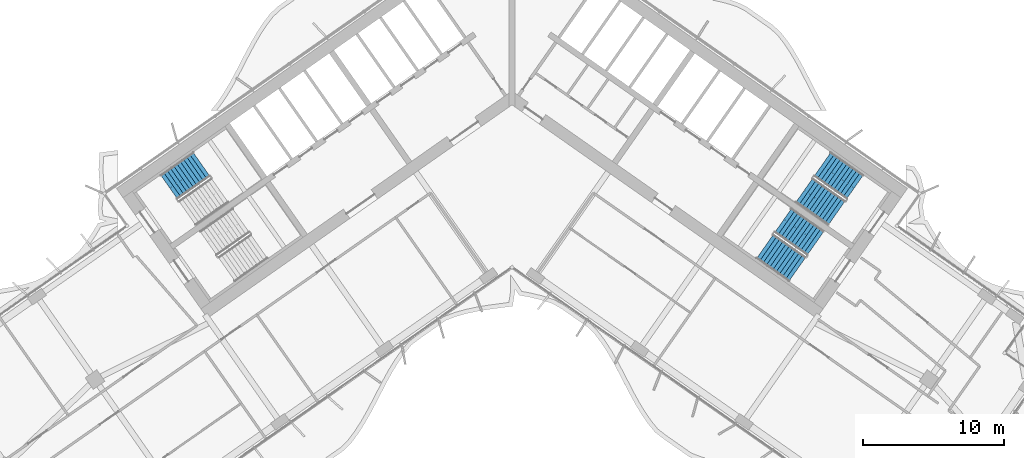
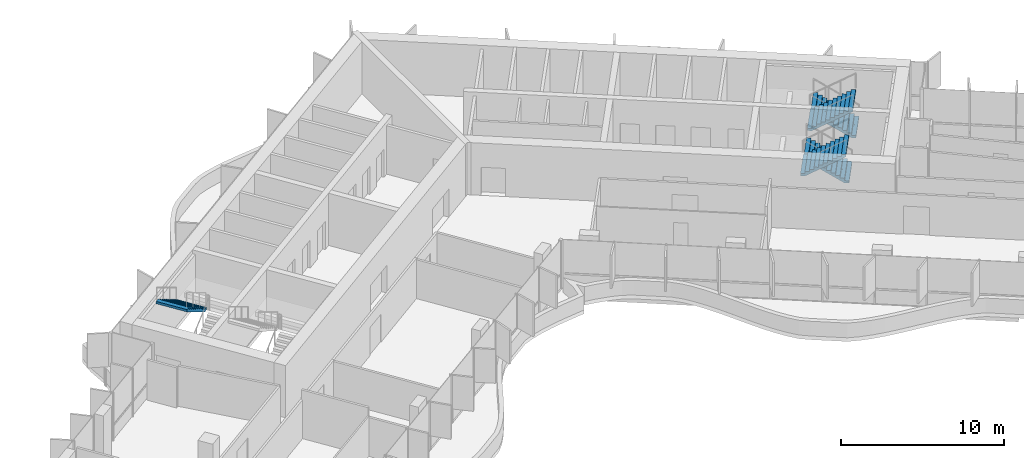
# One storey, part 16 of 21: 5 stair flights, 3 elements without a shape of their own.
"""IFC4 building model written with IfcOpenShell, lengths in metres."""

from ifc_helpers import new_model, si_unit, direction, frame, origin, place, context, subcontext, project, spatial, polyline, outline, extrude, material, type_object, element, aggregate, save


model = new_model("IFC4")

# Units and contexts
model_context = context("Model", 3, precision=1e-05, world=origin(), true_north=direction((0.0, 1.0)))
body_context = subcontext(model_context, "Body", "Model", "MODEL_VIEW")
ifc_project = project(units=[si_unit("LENGTHUNIT", "METRE"), si_unit("AREAUNIT", "SQUARE_METRE"), si_unit("VOLUMEUNIT", "CUBIC_METRE"), si_unit("PLANEANGLEUNIT", "RADIAN"), si_unit("MASSUNIT", "GRAM", prefix="KILO")], contexts=[model_context])

# Site, building, storey
site_placement = place(None, origin())
site = spatial("IfcSite", under=ifc_project, at=site_placement, CompositionType="ELEMENT")
building_placement = place(site_placement, origin())
building = spatial("IfcBuilding", under=site, at=building_placement, Name="Tel Ilan Convention Tower", CompositionType="ELEMENT")
storey_placement = place(building_placement, frame((0.0, 0.0, 155.39990234375)))
storey = spatial("IfcBuildingStorey", under=building, at=storey_placement, Name="L35", CompositionType="ELEMENT", Elevation=155.39990234375)

# Stair, stair flight
ifc_material_1 = material(Name="Concrete C40/50", Category="concrete")
stair_type = type_object("IfcStairType", Name="Pressurised Exit Stair 22 risers 177 mm", PredefinedType="HALF_TURN_STAIR", material=ifc_material_1)
stair_1_placement = place(storey_placement, origin())
stair_1 = element("IfcStair", 1, at=stair_1_placement, inside=storey, type_object=stair_type, Name="L35 Pressurised Stair S1", PredefinedType="HALF_TURN_STAIR")
ifc_material_2 = material(Name="Precast Concrete C40/50", Category="concrete")
stair_flight_type = type_object("IfcStairFlightType", Name="Concrete Stair Flight 2100 mm 22 risers 177 mm", PredefinedType="STRAIGHT", material=ifc_material_2)
stair_flight_1_placement = place(storey_placement, frame((-21.958740234375, -5.42626953125, 1.9501953125), z_axis=(0.0, 0.0, 1.0), x_axis=(-0.819152044289, -0.573576436351, 0.0)))
stair_flight_1 = element("IfcStairFlight", 2, at=stair_flight_1_placement, type_object=stair_flight_type, Name="S1 flight 2", NumberOfRisers=11, NumberOfTreads=10, PredefinedType="STRAIGHT", RiserHeight=0.177272727, TreadLength=0.28, context=body_context, shape_type="SweptSolid", body=[
    extrude(outline(polyline([(0.0, 0.0), (0.0, 0.17724609375), (0.280029296875, 0.17724609375), (0.280029296875, 0.3544921875), (0.56005859375, 0.3544921875), (0.56005859375, 0.53173828125), (0.840087890625, 0.53173828125), (0.840087890625, 0.708984375), (1.1201171875, 0.708984375), (1.1201171875, 0.886474609375), (1.39990234375, 0.886474609375), (1.39990234375, 1.063720703125), (1.679931640625, 1.063720703125), (1.679931640625, 1.240966796875), (1.9599609375, 1.240966796875), (1.9599609375, 1.418212890625), (2.239990234375, 1.418212890625), (2.239990234375, 1.595458984375), (2.52001953125, 1.595458984375), (2.52001953125, 1.772705078125), (2.800048828125, 1.772705078125), (2.800048828125, 1.949951171875), (2.800048828125, 1.59521484375), (0.2802734375, 0.0), (0.0, 0.0)])), frame((0.0, -0.100341796875, 0.0), z_axis=(0.0, -1.0, 0.0), x_axis=(1.0, 0.0, 0.0)), (0.0, 0.0, 1.0), 0.94970703125),
    extrude(outline(polyline([(0.0, 0.0), (0.0, 0.17724609375), (0.280029296875, 0.17724609375), (0.280029296875, 0.3544921875), (0.56005859375, 0.3544921875), (0.56005859375, 0.53173828125), (0.840087890625, 0.53173828125), (0.840087890625, 0.708984375), (1.1201171875, 0.708984375), (1.1201171875, 0.886474609375), (1.39990234375, 0.886474609375), (1.39990234375, 1.063720703125), (1.679931640625, 1.063720703125), (1.679931640625, 1.240966796875), (1.9599609375, 1.240966796875), (1.9599609375, 1.418212890625), (2.239990234375, 1.418212890625), (2.239990234375, 1.595458984375), (2.52001953125, 1.595458984375), (2.52001953125, 1.772705078125), (2.800048828125, 1.772705078125), (2.800048828125, 1.949951171875), (2.800048828125, 1.59521484375), (0.2802734375, 0.0), (0.0, 0.0)])), frame((0.0, -0.000244140625, 0.0), z_axis=(0.0, -1.0, 0.0), x_axis=(1.0, 0.0, 0.0)), (0.0, 0.0, 1.0), 0.099609375),
    extrude(outline(polyline([(0.0, 0.0), (0.0, 0.17724609375), (0.280029296875, 0.17724609375), (0.280029296875, 0.3544921875), (0.56005859375, 0.3544921875), (0.56005859375, 0.53173828125), (0.840087890625, 0.53173828125), (0.840087890625, 0.708984375), (1.1201171875, 0.708984375), (1.1201171875, 0.886474609375), (1.39990234375, 0.886474609375), (1.39990234375, 1.063720703125), (1.679931640625, 1.063720703125), (1.679931640625, 1.240966796875), (1.9599609375, 1.240966796875), (1.9599609375, 1.418212890625), (2.239990234375, 1.418212890625), (2.239990234375, 1.595458984375), (2.52001953125, 1.595458984375), (2.52001953125, 1.772705078125), (2.800048828125, 1.772705078125), (2.800048828125, 1.949951171875), (2.800048828125, 1.59521484375), (0.2802734375, 0.0), (0.0, 0.0)])), frame((0.0, 0.099853515625, 0.0), z_axis=(0.0, -1.0, 0.0), x_axis=(1.0, 0.0, 0.0)), (0.0, 0.0, 1.0), 0.099609375),
    extrude(outline(polyline([(0.0, 0.0), (0.0, 0.17724609375), (0.280029296875, 0.17724609375), (0.280029296875, 0.3544921875), (0.56005859375, 0.3544921875), (0.56005859375, 0.53173828125), (0.840087890625, 0.53173828125), (0.840087890625, 0.708984375), (1.1201171875, 0.708984375), (1.1201171875, 0.886474609375), (1.39990234375, 0.886474609375), (1.39990234375, 1.063720703125), (1.679931640625, 1.063720703125), (1.679931640625, 1.240966796875), (1.9599609375, 1.240966796875), (1.9599609375, 1.418212890625), (2.239990234375, 1.418212890625), (2.239990234375, 1.595458984375), (2.52001953125, 1.595458984375), (2.52001953125, 1.772705078125), (2.800048828125, 1.772705078125), (2.800048828125, 1.949951171875), (2.800048828125, 1.59521484375), (0.2802734375, 0.0), (0.0, 0.0)])), frame((0.0, 1.050048828125, 0.0), z_axis=(0.0, -1.0, 0.0), x_axis=(1.0, 0.0, 0.0)), (0.0, 0.0, 1.0), 0.94970703125),
])
aggregate(stair_1, [stair_flight_1])

# Stair, stair flights
stair_2_placement = place(storey_placement, origin())
stair_2 = element("IfcStair", 3, at=stair_2_placement, inside=storey, type_object=stair_type, Name="L35 Pressurised Stair S3", PredefinedType="HALF_TURN_STAIR")
stair_flight_2_placement = place(storey_placement, frame((24.25244140625, -7.032470703125, 0.0), z_axis=(0.0, 0.0, 1.0), x_axis=(-0.819152044289, 0.573576436351, 0.0)))
stair_flight_2 = element("IfcStairFlight", 4, at=stair_flight_2_placement, type_object=stair_flight_type, Name="S3 flight 1", NumberOfRisers=11, NumberOfTreads=10, PredefinedType="STRAIGHT", RiserHeight=0.177272727, TreadLength=0.28, context=body_context, shape_type="SweptSolid", body=[
    extrude(outline(polyline([(0.0, 0.0), (0.0, 0.17724609375), (0.280029296875, 0.17724609375), (0.280029296875, 0.3544921875), (0.56005859375, 0.3544921875), (0.56005859375, 0.53173828125), (0.840087890625, 0.53173828125), (0.840087890625, 0.708984375), (1.1201171875, 0.708984375), (1.1201171875, 0.886474609375), (1.39990234375, 0.886474609375), (1.39990234375, 1.063720703125), (1.679931640625, 1.063720703125), (1.679931640625, 1.240966796875), (1.9599609375, 1.240966796875), (1.9599609375, 1.418212890625), (2.239990234375, 1.418212890625), (2.239990234375, 1.595458984375), (2.52001953125, 1.595458984375), (2.52001953125, 1.772705078125), (2.800048828125, 1.772705078125), (2.800048828125, 1.949951171875), (2.800048828125, 1.59521484375), (0.2802734375, 0.0), (0.0, 0.0)])), frame((0.0, -0.100341796875, 0.0), z_axis=(0.0, -1.0, 0.0), x_axis=(1.0, 0.0, 0.0)), (0.0, 0.0, 1.0), 0.94970703125),
    extrude(outline(polyline([(0.0, 0.0), (0.0, 0.17724609375), (0.280029296875, 0.17724609375), (0.280029296875, 0.3544921875), (0.56005859375, 0.3544921875), (0.56005859375, 0.53173828125), (0.840087890625, 0.53173828125), (0.840087890625, 0.708984375), (1.1201171875, 0.708984375), (1.1201171875, 0.886474609375), (1.39990234375, 0.886474609375), (1.39990234375, 1.063720703125), (1.679931640625, 1.063720703125), (1.679931640625, 1.240966796875), (1.9599609375, 1.240966796875), (1.9599609375, 1.418212890625), (2.239990234375, 1.418212890625), (2.239990234375, 1.595458984375), (2.52001953125, 1.595458984375), (2.52001953125, 1.772705078125), (2.800048828125, 1.772705078125), (2.800048828125, 1.949951171875), (2.800048828125, 1.59521484375), (0.2802734375, 0.0), (0.0, 0.0)])), frame((0.0, -0.000244140625, 0.0), z_axis=(0.0, -1.0, 0.0), x_axis=(1.0, 0.0, 0.0)), (0.0, 0.0, 1.0), 0.099609375),
    extrude(outline(polyline([(0.0, 0.0), (0.0, 0.17724609375), (0.280029296875, 0.17724609375), (0.280029296875, 0.3544921875), (0.56005859375, 0.3544921875), (0.56005859375, 0.53173828125), (0.840087890625, 0.53173828125), (0.840087890625, 0.708984375), (1.1201171875, 0.708984375), (1.1201171875, 0.886474609375), (1.39990234375, 0.886474609375), (1.39990234375, 1.063720703125), (1.679931640625, 1.063720703125), (1.679931640625, 1.240966796875), (1.9599609375, 1.240966796875), (1.9599609375, 1.418212890625), (2.239990234375, 1.418212890625), (2.239990234375, 1.595458984375), (2.52001953125, 1.595458984375), (2.52001953125, 1.772705078125), (2.800048828125, 1.772705078125), (2.800048828125, 1.949951171875), (2.800048828125, 1.59521484375), (0.2802734375, 0.0), (0.0, 0.0)])), frame((0.0, 0.099853515625, 0.0), z_axis=(0.0, -1.0, 0.0), x_axis=(1.0, 0.0, 0.0)), (0.0, 0.0, 1.0), 0.099609375),
    extrude(outline(polyline([(0.0, 0.0), (0.0, 0.17724609375), (0.280029296875, 0.17724609375), (0.280029296875, 0.3544921875), (0.56005859375, 0.3544921875), (0.56005859375, 0.53173828125), (0.840087890625, 0.53173828125), (0.840087890625, 0.708984375), (1.1201171875, 0.708984375), (1.1201171875, 0.886474609375), (1.39990234375, 0.886474609375), (1.39990234375, 1.063720703125), (1.679931640625, 1.063720703125), (1.679931640625, 1.240966796875), (1.9599609375, 1.240966796875), (1.9599609375, 1.418212890625), (2.239990234375, 1.418212890625), (2.239990234375, 1.595458984375), (2.52001953125, 1.595458984375), (2.52001953125, 1.772705078125), (2.800048828125, 1.772705078125), (2.800048828125, 1.949951171875), (2.800048828125, 1.59521484375), (0.2802734375, 0.0), (0.0, 0.0)])), frame((0.0, 1.050048828125, 0.0), z_axis=(0.0, -1.0, 0.0), x_axis=(1.0, 0.0, 0.0)), (0.0, 0.0, 1.0), 0.94970703125),
])
stair_flight_3_placement = place(storey_placement, frame((20.668212890625, -7.26953125, 1.9501953125), z_axis=(0.0, 0.0, 1.0), x_axis=(0.819152044289, -0.573576436351, 0.0)))
stair_flight_3 = element("IfcStairFlight", 5, at=stair_flight_3_placement, type_object=stair_flight_type, Name="S3 flight 2", NumberOfRisers=11, NumberOfTreads=10, PredefinedType="STRAIGHT", RiserHeight=0.177272727, TreadLength=0.28, context=body_context, shape_type="SweptSolid", body=[
    extrude(outline(polyline([(0.0, 0.0), (0.0, 0.17724609375), (0.280029296875, 0.17724609375), (0.280029296875, 0.3544921875), (0.56005859375, 0.3544921875), (0.56005859375, 0.53173828125), (0.840087890625, 0.53173828125), (0.840087890625, 0.708984375), (1.1201171875, 0.708984375), (1.1201171875, 0.886474609375), (1.39990234375, 0.886474609375), (1.39990234375, 1.063720703125), (1.679931640625, 1.063720703125), (1.679931640625, 1.240966796875), (1.9599609375, 1.240966796875), (1.9599609375, 1.418212890625), (2.239990234375, 1.418212890625), (2.239990234375, 1.595458984375), (2.52001953125, 1.595458984375), (2.52001953125, 1.772705078125), (2.800048828125, 1.772705078125), (2.800048828125, 1.949951171875), (2.800048828125, 1.59521484375), (0.2802734375, 0.0), (0.0, 0.0)])), frame((0.0, -0.100341796875, 0.0), z_axis=(0.0, -1.0, 0.0), x_axis=(1.0, 0.0, 0.0)), (0.0, 0.0, 1.0), 0.94970703125),
    extrude(outline(polyline([(0.0, 0.0), (0.0, 0.17724609375), (0.280029296875, 0.17724609375), (0.280029296875, 0.3544921875), (0.56005859375, 0.3544921875), (0.56005859375, 0.53173828125), (0.840087890625, 0.53173828125), (0.840087890625, 0.708984375), (1.1201171875, 0.708984375), (1.1201171875, 0.886474609375), (1.39990234375, 0.886474609375), (1.39990234375, 1.063720703125), (1.679931640625, 1.063720703125), (1.679931640625, 1.240966796875), (1.9599609375, 1.240966796875), (1.9599609375, 1.418212890625), (2.239990234375, 1.418212890625), (2.239990234375, 1.595458984375), (2.52001953125, 1.595458984375), (2.52001953125, 1.772705078125), (2.800048828125, 1.772705078125), (2.800048828125, 1.949951171875), (2.800048828125, 1.59521484375), (0.2802734375, 0.0), (0.0, 0.0)])), frame((0.0, -0.000244140625, 0.0), z_axis=(0.0, -1.0, 0.0), x_axis=(1.0, 0.0, 0.0)), (0.0, 0.0, 1.0), 0.099609375),
    extrude(outline(polyline([(0.0, 0.0), (0.0, 0.17724609375), (0.280029296875, 0.17724609375), (0.280029296875, 0.3544921875), (0.56005859375, 0.3544921875), (0.56005859375, 0.53173828125), (0.840087890625, 0.53173828125), (0.840087890625, 0.708984375), (1.1201171875, 0.708984375), (1.1201171875, 0.886474609375), (1.39990234375, 0.886474609375), (1.39990234375, 1.063720703125), (1.679931640625, 1.063720703125), (1.679931640625, 1.240966796875), (1.9599609375, 1.240966796875), (1.9599609375, 1.418212890625), (2.239990234375, 1.418212890625), (2.239990234375, 1.595458984375), (2.52001953125, 1.595458984375), (2.52001953125, 1.772705078125), (2.800048828125, 1.772705078125), (2.800048828125, 1.949951171875), (2.800048828125, 1.59521484375), (0.2802734375, 0.0), (0.0, 0.0)])), frame((0.0, 0.099853515625, 0.0), z_axis=(0.0, -1.0, 0.0), x_axis=(1.0, 0.0, 0.0)), (0.0, 0.0, 1.0), 0.099609375),
    extrude(outline(polyline([(0.0, 0.0), (0.0, 0.17724609375), (0.280029296875, 0.17724609375), (0.280029296875, 0.3544921875), (0.56005859375, 0.3544921875), (0.56005859375, 0.53173828125), (0.840087890625, 0.53173828125), (0.840087890625, 0.708984375), (1.1201171875, 0.708984375), (1.1201171875, 0.886474609375), (1.39990234375, 0.886474609375), (1.39990234375, 1.063720703125), (1.679931640625, 1.063720703125), (1.679931640625, 1.240966796875), (1.9599609375, 1.240966796875), (1.9599609375, 1.418212890625), (2.239990234375, 1.418212890625), (2.239990234375, 1.595458984375), (2.52001953125, 1.595458984375), (2.52001953125, 1.772705078125), (2.800048828125, 1.772705078125), (2.800048828125, 1.949951171875), (2.800048828125, 1.59521484375), (0.2802734375, 0.0), (0.0, 0.0)])), frame((0.0, 1.050048828125, 0.0), z_axis=(0.0, -1.0, 0.0), x_axis=(1.0, 0.0, 0.0)), (0.0, 0.0, 1.0), 0.94970703125),
])
aggregate(stair_2, [stair_flight_2, stair_flight_3])

stair_3_placement = place(storey_placement, origin())
stair_3 = element("IfcStair", 6, at=stair_3_placement, inside=storey, type_object=stair_type, Name="L35 Pressurised Stair S4", PredefinedType="HALF_TURN_STAIR")
stair_flight_4_placement = place(storey_placement, frame((21.470458984375, -11.00537109375, 0.0), z_axis=(0.0, 0.0, 1.0), x_axis=(-0.819152044289, 0.573576436351, 0.0)))
stair_flight_4 = element("IfcStairFlight", 7, at=stair_flight_4_placement, type_object=stair_flight_type, Name="S4 flight 1", NumberOfRisers=11, NumberOfTreads=10, PredefinedType="STRAIGHT", RiserHeight=0.177272727, TreadLength=0.28, context=body_context, shape_type="SweptSolid", body=[
    extrude(outline(polyline([(0.0, 0.0), (0.0, 0.17724609375), (0.280029296875, 0.17724609375), (0.280029296875, 0.3544921875), (0.56005859375, 0.3544921875), (0.56005859375, 0.53173828125), (0.840087890625, 0.53173828125), (0.840087890625, 0.708984375), (1.1201171875, 0.708984375), (1.1201171875, 0.886474609375), (1.39990234375, 0.886474609375), (1.39990234375, 1.063720703125), (1.679931640625, 1.063720703125), (1.679931640625, 1.240966796875), (1.9599609375, 1.240966796875), (1.9599609375, 1.418212890625), (2.239990234375, 1.418212890625), (2.239990234375, 1.595458984375), (2.52001953125, 1.595458984375), (2.52001953125, 1.772705078125), (2.800048828125, 1.772705078125), (2.800048828125, 1.949951171875), (2.800048828125, 1.59521484375), (0.2802734375, 0.0), (0.0, 0.0)])), frame((0.0, -0.100341796875, 0.0), z_axis=(0.0, -1.0, 0.0), x_axis=(1.0, 0.0, 0.0)), (0.0, 0.0, 1.0), 0.94970703125),
    extrude(outline(polyline([(0.0, 0.0), (0.0, 0.17724609375), (0.280029296875, 0.17724609375), (0.280029296875, 0.3544921875), (0.56005859375, 0.3544921875), (0.56005859375, 0.53173828125), (0.840087890625, 0.53173828125), (0.840087890625, 0.708984375), (1.1201171875, 0.708984375), (1.1201171875, 0.886474609375), (1.39990234375, 0.886474609375), (1.39990234375, 1.063720703125), (1.679931640625, 1.063720703125), (1.679931640625, 1.240966796875), (1.9599609375, 1.240966796875), (1.9599609375, 1.418212890625), (2.239990234375, 1.418212890625), (2.239990234375, 1.595458984375), (2.52001953125, 1.595458984375), (2.52001953125, 1.772705078125), (2.800048828125, 1.772705078125), (2.800048828125, 1.949951171875), (2.800048828125, 1.59521484375), (0.2802734375, 0.0), (0.0, 0.0)])), frame((0.0, -0.000244140625, 0.0), z_axis=(0.0, -1.0, 0.0), x_axis=(1.0, 0.0, 0.0)), (0.0, 0.0, 1.0), 0.099609375),
    extrude(outline(polyline([(0.0, 0.0), (0.0, 0.17724609375), (0.280029296875, 0.17724609375), (0.280029296875, 0.3544921875), (0.56005859375, 0.3544921875), (0.56005859375, 0.53173828125), (0.840087890625, 0.53173828125), (0.840087890625, 0.708984375), (1.1201171875, 0.708984375), (1.1201171875, 0.886474609375), (1.39990234375, 0.886474609375), (1.39990234375, 1.063720703125), (1.679931640625, 1.063720703125), (1.679931640625, 1.240966796875), (1.9599609375, 1.240966796875), (1.9599609375, 1.418212890625), (2.239990234375, 1.418212890625), (2.239990234375, 1.595458984375), (2.52001953125, 1.595458984375), (2.52001953125, 1.772705078125), (2.800048828125, 1.772705078125), (2.800048828125, 1.949951171875), (2.800048828125, 1.59521484375), (0.2802734375, 0.0), (0.0, 0.0)])), frame((0.0, 0.099853515625, 0.0), z_axis=(0.0, -1.0, 0.0), x_axis=(1.0, 0.0, 0.0)), (0.0, 0.0, 1.0), 0.099609375),
    extrude(outline(polyline([(0.0, 0.0), (0.0, 0.17724609375), (0.280029296875, 0.17724609375), (0.280029296875, 0.3544921875), (0.56005859375, 0.3544921875), (0.56005859375, 0.53173828125), (0.840087890625, 0.53173828125), (0.840087890625, 0.708984375), (1.1201171875, 0.708984375), (1.1201171875, 0.886474609375), (1.39990234375, 0.886474609375), (1.39990234375, 1.063720703125), (1.679931640625, 1.063720703125), (1.679931640625, 1.240966796875), (1.9599609375, 1.240966796875), (1.9599609375, 1.418212890625), (2.239990234375, 1.418212890625), (2.239990234375, 1.595458984375), (2.52001953125, 1.595458984375), (2.52001953125, 1.772705078125), (2.800048828125, 1.772705078125), (2.800048828125, 1.949951171875), (2.800048828125, 1.59521484375), (0.2802734375, 0.0), (0.0, 0.0)])), frame((0.0, 1.050048828125, 0.0), z_axis=(0.0, -1.0, 0.0), x_axis=(1.0, 0.0, 0.0)), (0.0, 0.0, 1.0), 0.94970703125),
])
stair_flight_5_placement = place(storey_placement, frame((17.886474609375, -11.242431640625, 1.9501953125), z_axis=(0.0, 0.0, 1.0), x_axis=(0.819152044289, -0.573576436351, 0.0)))
stair_flight_5 = element("IfcStairFlight", 8, at=stair_flight_5_placement, type_object=stair_flight_type, Name="S4 flight 2", NumberOfRisers=11, NumberOfTreads=10, PredefinedType="STRAIGHT", RiserHeight=0.177272727, TreadLength=0.28, context=body_context, shape_type="SweptSolid", body=[
    extrude(outline(polyline([(0.0, 0.0), (0.0, 0.17724609375), (0.280029296875, 0.17724609375), (0.280029296875, 0.3544921875), (0.56005859375, 0.3544921875), (0.56005859375, 0.53173828125), (0.840087890625, 0.53173828125), (0.840087890625, 0.708984375), (1.1201171875, 0.708984375), (1.1201171875, 0.886474609375), (1.39990234375, 0.886474609375), (1.39990234375, 1.063720703125), (1.679931640625, 1.063720703125), (1.679931640625, 1.240966796875), (1.9599609375, 1.240966796875), (1.9599609375, 1.418212890625), (2.239990234375, 1.418212890625), (2.239990234375, 1.595458984375), (2.52001953125, 1.595458984375), (2.52001953125, 1.772705078125), (2.800048828125, 1.772705078125), (2.800048828125, 1.949951171875), (2.800048828125, 1.59521484375), (0.2802734375, 0.0), (0.0, 0.0)])), frame((0.0, -0.100341796875, 0.0), z_axis=(0.0, -1.0, 0.0), x_axis=(1.0, 0.0, 0.0)), (0.0, 0.0, 1.0), 0.94970703125),
    extrude(outline(polyline([(0.0, 0.0), (0.0, 0.17724609375), (0.280029296875, 0.17724609375), (0.280029296875, 0.3544921875), (0.56005859375, 0.3544921875), (0.56005859375, 0.53173828125), (0.840087890625, 0.53173828125), (0.840087890625, 0.708984375), (1.1201171875, 0.708984375), (1.1201171875, 0.886474609375), (1.39990234375, 0.886474609375), (1.39990234375, 1.063720703125), (1.679931640625, 1.063720703125), (1.679931640625, 1.240966796875), (1.9599609375, 1.240966796875), (1.9599609375, 1.418212890625), (2.239990234375, 1.418212890625), (2.239990234375, 1.595458984375), (2.52001953125, 1.595458984375), (2.52001953125, 1.772705078125), (2.800048828125, 1.772705078125), (2.800048828125, 1.949951171875), (2.800048828125, 1.59521484375), (0.2802734375, 0.0), (0.0, 0.0)])), frame((0.0, -0.000244140625, 0.0), z_axis=(0.0, -1.0, 0.0), x_axis=(1.0, 0.0, 0.0)), (0.0, 0.0, 1.0), 0.099609375),
    extrude(outline(polyline([(0.0, 0.0), (0.0, 0.17724609375), (0.280029296875, 0.17724609375), (0.280029296875, 0.3544921875), (0.56005859375, 0.3544921875), (0.56005859375, 0.53173828125), (0.840087890625, 0.53173828125), (0.840087890625, 0.708984375), (1.1201171875, 0.708984375), (1.1201171875, 0.886474609375), (1.39990234375, 0.886474609375), (1.39990234375, 1.063720703125), (1.679931640625, 1.063720703125), (1.679931640625, 1.240966796875), (1.9599609375, 1.240966796875), (1.9599609375, 1.418212890625), (2.239990234375, 1.418212890625), (2.239990234375, 1.595458984375), (2.52001953125, 1.595458984375), (2.52001953125, 1.772705078125), (2.800048828125, 1.772705078125), (2.800048828125, 1.949951171875), (2.800048828125, 1.59521484375), (0.2802734375, 0.0), (0.0, 0.0)])), frame((0.0, 0.099853515625, 0.0), z_axis=(0.0, -1.0, 0.0), x_axis=(1.0, 0.0, 0.0)), (0.0, 0.0, 1.0), 0.099609375),
    extrude(outline(polyline([(0.0, 0.0), (0.0, 0.17724609375), (0.280029296875, 0.17724609375), (0.280029296875, 0.3544921875), (0.56005859375, 0.3544921875), (0.56005859375, 0.53173828125), (0.840087890625, 0.53173828125), (0.840087890625, 0.708984375), (1.1201171875, 0.708984375), (1.1201171875, 0.886474609375), (1.39990234375, 0.886474609375), (1.39990234375, 1.063720703125), (1.679931640625, 1.063720703125), (1.679931640625, 1.240966796875), (1.9599609375, 1.240966796875), (1.9599609375, 1.418212890625), (2.239990234375, 1.418212890625), (2.239990234375, 1.595458984375), (2.52001953125, 1.595458984375), (2.52001953125, 1.772705078125), (2.800048828125, 1.772705078125), (2.800048828125, 1.949951171875), (2.800048828125, 1.59521484375), (0.2802734375, 0.0), (0.0, 0.0)])), frame((0.0, 1.050048828125, 0.0), z_axis=(0.0, -1.0, 0.0), x_axis=(1.0, 0.0, 0.0)), (0.0, 0.0, 1.0), 0.94970703125),
])
aggregate(stair_3, [stair_flight_4, stair_flight_5])

save(model, "model.ifc")
